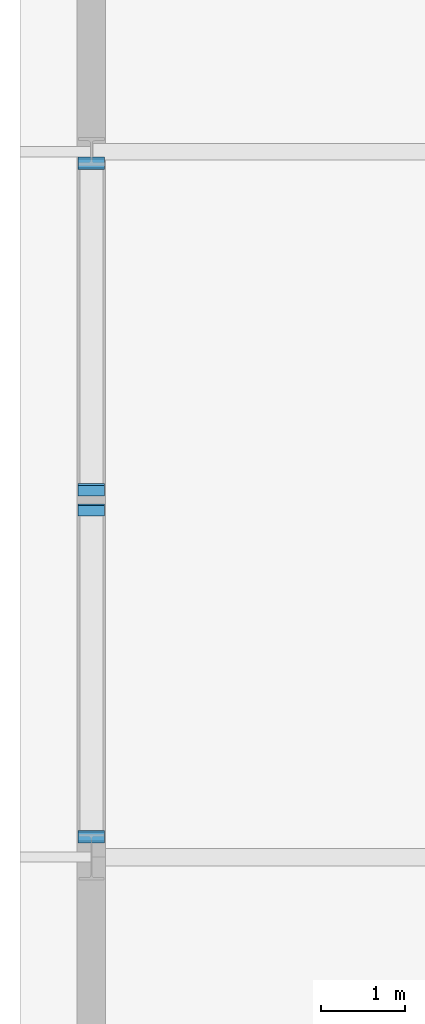
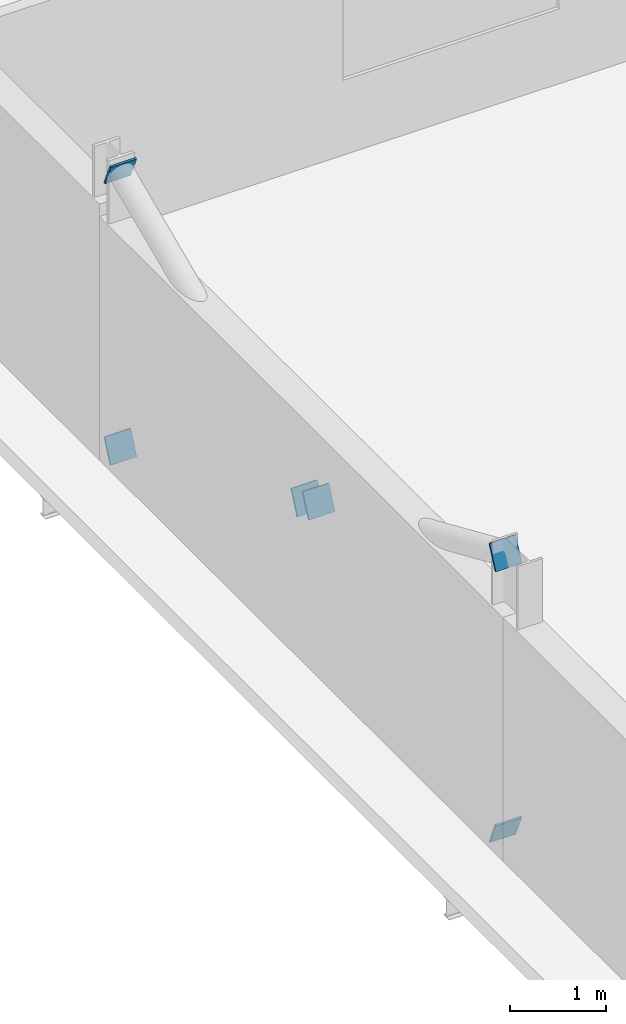
# One storey, part 59 of 78: 6 plates.
"""IFC4 building model written with IfcOpenShell, lengths in metres."""

import ifcopenshell
import ifcopenshell.guid

model = None  # the IFC model being written
_history = None  # IfcOwnerHistory: only IFC2X3 demands one
_inside = {}  # id of a spatial element -> (the spatial element, [elements in it])
_under = {}  # id of a project, library or spatial element -> (it, [spatial elements below it])
_declared = {}  # id of a project -> (the project, [libraries it declares])
_typed = {}  # id of a type object -> (the type object, [elements of that type])
_made_of = {}  # id of a material, layer set ... -> (it, [elements and type objects made of it])


def new_model(schema):
    """Start an empty IFC model of exactly this schema.

    Asked for "IFC4X3", IfcOpenShell would pick the latest addendum, in which some entities
    have other attributes; the version numbers below select the first issue.
    IFC2X3 requires an IfcOwnerHistory on every rooted entity: one is made here for all.
    """
    global model, _history
    if schema == "IFC4X3":
        model = ifcopenshell.file(schema_version=(4, 3, 0, 0))
    else:
        model = ifcopenshell.file(schema=schema)
    _inside.clear()
    _under.clear()
    _declared.clear()
    _typed.clear()
    _made_of.clear()
    _history = None
    if model.schema == "IFC2X3":
        org = make("IfcOrganization", Name="unknown")
        user = make(
            "IfcPersonAndOrganization",
            ThePerson=make("IfcPerson", FamilyName="unknown"),
            TheOrganization=org,
        )
        app = make(
            "IfcApplication",
            ApplicationDeveloper=org,
            Version="unknown",
            ApplicationFullName="unknown",
            ApplicationIdentifier="unknown",
        )
        _history = make(
            "IfcOwnerHistory",
            OwningUser=user,
            OwningApplication=app,
            ChangeAction="ADDED",
            CreationDate=0,
        )
    return model


def make(cls, **values):
    """One entity of the class cls with the attributes given. An attribute that is None is left unset."""
    return model.create_entity(
        cls, **{name: value for name, value in values.items() if value is not None}
    )


def rooted(cls, **values):
    """An entity with a GlobalId (a new one), such as an element, a storey or a relation."""
    return make(cls, GlobalId=ifcopenshell.guid.new(), OwnerHistory=_history, **values)


def si_unit(unit_type, name, prefix=None):
    """IfcSIUnit, for example si_unit("LENGTHUNIT", "METRE", prefix="MILLI")."""
    return make("IfcSIUnit", UnitType=unit_type, Prefix=prefix, Name=name)


def assignment(units):
    """IfcUnitAssignment: the units of a project."""
    return None if units is None else make("IfcUnitAssignment", Units=units)


def point(xyz):
    """IfcCartesianPoint."""
    return None if xyz is None else make("IfcCartesianPoint", Coordinates=xyz)


def direction(xyz):
    """IfcDirection."""
    return None if xyz is None else make("IfcDirection", DirectionRatios=xyz)


def frame(location, z_axis=None, x_axis=None):
    """IfcAxis2Placement3D, a coordinate frame: its origin and axes. An axis left out is left unset."""
    return make(
        "IfcAxis2Placement3D",
        Location=point(location),
        Axis=direction(z_axis),
        RefDirection=direction(x_axis),
    )


def frame_2d(location, x_axis=None):
    """IfcAxis2Placement2D, a coordinate frame in the plane: its origin and x axis."""
    return make(
        "IfcAxis2Placement2D", Location=point(location), RefDirection=direction(x_axis)
    )


def origin():
    """The frame at (0, 0, 0) with its axes left unset."""
    return frame((0.0, 0.0, 0.0))


def origin_2d():
    """The frame at (0, 0) in the plane with its x axis left unset."""
    return frame_2d((0.0, 0.0))


def place(relative_to, where):
    """IfcLocalPlacement: puts the frame where relative to a parent placement (None: the world)."""
    return make(
        "IfcLocalPlacement", PlacementRelTo=relative_to, RelativePlacement=where
    )


def context(
    kind, dimensions, precision=None, world=None, true_north=None, identifier=None
):
    """IfcGeometricRepresentationContext, for example the 3D "Model" context."""
    return make(
        "IfcGeometricRepresentationContext",
        ContextIdentifier=identifier,
        ContextType=kind,
        CoordinateSpaceDimension=dimensions,
        Precision=precision,
        WorldCoordinateSystem=world,
        TrueNorth=true_north,
    )


def subcontext(parent, identifier, kind, view, scale=None):
    """IfcGeometricRepresentationSubContext, for example "Body" below "Model"."""
    return make(
        "IfcGeometricRepresentationSubContext",
        ContextIdentifier=identifier,
        ContextType=kind,
        ParentContext=parent,
        TargetScale=scale,
        TargetView=view,
    )


def project(units=None, contexts=None):
    """IfcProject with its units and contexts."""
    return rooted(
        "IfcProject",
        Name="project",
        RepresentationContexts=contexts,
        UnitsInContext=assignment(units),
    )


def spatial(cls, under=None, at=None, **own):
    """A site, building, storey or space (cls), placed at a placement, below another one or the project."""
    s = rooted(cls, ObjectPlacement=at, **own)
    if under is not None:
        _under.setdefault(under.id(), (under, []))[1].append(s)
    return s


def profile(cls, at=None, kind="AREA", **sizes):
    """A parametric profile (cls). Its sizes go by their IFC names, for example OverallWidth=200.0."""
    return make(cls, ProfileType=kind, Position=at, **sizes)


def rectangle(**sizes):
    """IfcRectangleProfileDef."""
    return profile("IfcRectangleProfileDef", **sizes)


def extrude(swept, where, along, depth):
    """IfcExtrudedAreaSolid: the profile swept, set in the frame where, extruded along a direction by depth."""
    return make(
        "IfcExtrudedAreaSolid",
        SweptArea=swept,
        Position=where,
        ExtrudedDirection=direction(along),
        Depth=depth,
    )


def shape(context_of_items, identifier, shape_type, items):
    """IfcShapeRepresentation: the items that make up one representation, for example the "Body"."""
    return make(
        "IfcShapeRepresentation",
        ContextOfItems=context_of_items,
        RepresentationIdentifier=identifier,
        RepresentationType=shape_type,
        Items=items,
    )


def material(Name=None, Category=None):
    """IfcMaterial."""
    return make("IfcMaterial", Name=Name, Category=Category)


def material_profile(
    of_material, cross_section, Name=None, Category=None, Priority=None
):
    """IfcMaterialProfile: a cross section and its material."""
    return make(
        "IfcMaterialProfile",
        Name=Name,
        Material=of_material,
        Profile=cross_section,
        Priority=Priority,
        Category=Category,
    )


def profile_set(profiles, Name=None, composite=None):
    """IfcMaterialProfileSet."""
    return make(
        "IfcMaterialProfileSet",
        Name=Name,
        MaterialProfiles=profiles,
        CompositeProfile=composite,
    )


def made_of(thing, what):
    """Note that an element or type object is made of a material, layer set ...; save() writes the relation."""
    if what is not None:
        _made_of.setdefault(what.id(), (what, []))[1].append(thing)
    return thing


def type_object(cls, material=None, **own):
    """A type object (cls), such as IfcWallType, which elements share."""
    return made_of(rooted(cls, **own), material)


def element(
    cls,
    number,
    at=None,
    inside=None,
    cuts=None,
    type_object=None,
    material=None,
    context=None,
    identifier="Body",
    shape_type=None,
    held_by="IfcProductDefinitionShape",
    body=None,
    shapes=None,
    **own,
):
    """One element of the class cls, such as IfcWall. Its Tag is "e" and its number.

    at: its placement. inside: the storey or other place that contains it. cuts: it is an
    opening in that element (IfcRelVoidsElement). A single representation is given by context,
    identifier, shape_type and body (its items); several are given by shapes. held_by: the class
    of the entity that holds the representations. save() writes the other relations.
    """
    e = rooted(cls, Tag="e%d" % number, ObjectPlacement=at, **own)
    if body is not None:
        shapes = [shape(context, identifier, shape_type, body)]
    if shapes is not None:
        e.Representation = make(held_by, Representations=shapes)
    if inside is not None:
        _inside.setdefault(inside.id(), (inside, []))[1].append(e)
    if cuts is not None:
        rooted(
            "IfcRelVoidsElement", RelatingBuildingElement=cuts, RelatedOpeningElement=e
        )
    if type_object is not None:
        _typed.setdefault(type_object.id(), (type_object, []))[1].append(e)
    return made_of(e, material)


def aggregate(whole, parts):
    """IfcRelAggregates: a whole, such as a stair, and the parts it consists of."""
    return rooted("IfcRelAggregates", RelatingObject=whole, RelatedObjects=parts)


def save(model, path):
    """Write the relations noted so far, then the file.

    IfcRelAggregates (storeys below a building ...), IfcRelContainedInSpatialStructure (elements
    in a storey), IfcRelDefinesByType, IfcRelAssociatesMaterial and IfcRelDeclares: one each for
    every whole, place, type object, material and project.
    """
    for whole, parts in _under.values():
        aggregate(whole, parts)
    for where, things in _inside.values():
        rooted(
            "IfcRelContainedInSpatialStructure",
            RelatedElements=things,
            RelatingStructure=where,
        )
    for kind, things in _typed.values():
        rooted("IfcRelDefinesByType", RelatedObjects=things, RelatingType=kind)
    for what, things in _made_of.values():
        rooted("IfcRelAssociatesMaterial", RelatedObjects=things, RelatingMaterial=what)
    for by, libraries in _declared.values():
        rooted("IfcRelDeclares", RelatingContext=by, RelatedDefinitions=libraries)
    model.write(path)


model = new_model("IFC4")

# Units and contexts
model_context = context("Model", 3, precision=1e-05, world=origin(), true_north=direction((0.0, 1.0)))
body_context = subcontext(model_context, "Body", "Model", "MODEL_VIEW")
ifc_project = project(units=[si_unit("LENGTHUNIT", "METRE"), si_unit("AREAUNIT", "SQUARE_METRE"), si_unit("VOLUMEUNIT", "CUBIC_METRE"), si_unit("PLANEANGLEUNIT", "RADIAN"), si_unit("MASSUNIT", "GRAM", prefix="KILO")], contexts=[model_context])

# Site, building, storey
site_placement = place(None, origin())
site = spatial("IfcSite", under=ifc_project, at=site_placement, CompositionType="ELEMENT")
building_placement = place(site_placement, origin())
building = spatial("IfcBuilding", under=site, at=building_placement, Name="Vinh Khe Railworks Police Headquarters", CompositionType="ELEMENT")
storey_placement = place(building_placement, frame((0.0, 0.0, 13.199951171875)))
storey = spatial("IfcBuildingStorey", under=building, at=storey_placement, Name="L03", CompositionType="ELEMENT", Elevation=13.199951171875)

# Plates
ifc_material = material(Name="Steel S355JR", Category="steel")
ifc_material_profile = material_profile(ifc_material, rectangle(XDim=0.31298828125, YDim=0.31298828125, at=origin_2d()), Name="PL 313x313")
ifc_profile_set = profile_set([ifc_material_profile], Name="Steel S355JR")
plate_type = type_object("IfcPlateType", Name="Steel End-Cap Plate 313x313x24", PredefinedType="SHEET", material=ifc_profile_set)
for number, where, z_axis, x_axis, name in (
    (1, (0.60009765625, 96.2548828125, 0.199951171875), (0.0, -0.91755562531, -0.397607437634), (1.0, 0.0, 0.0), "End-Cap Gusset Plate PLT-EP-0059"),
    (2, (0.60009765625, 96.2548828125, 3.699951171875), (0.0, -0.91381154862, 0.406138466053), (1.0, 0.0, 0.0), "End-Cap Gusset Plate PLT-EP-0060"),
    (3, (0.60009765625, 100.122314453125, 2.0068359375), (0.0, 0.91755562531, -0.397607437634), (-1.0, 0.0, 0.0), "End-Cap Gusset Plate PLT-EP-0069"),
    (4, (0.60009765625, 100.382568359375, 1.89306640625), (0.0, -0.91381154862, 0.406138466053), (1.0, 0.0, 0.0), "End-Cap Gusset Plate PLT-EP-0080"),
    (5, (0.60009765625, 104.25, 0.199951171875), (0.0, 0.91755562531, -0.397607437634), (-1.0, 0.0, 0.0), "End-Cap Gusset Plate PLT-EP-0091"),
    (6, (0.60009765625, 104.25, 3.699951171875), (0.0, 0.91381154862, 0.406138466053), (-1.0, 0.0, 0.0), "End-Cap Gusset Plate PLT-EP-0092"),
):
    element("IfcPlate", number, at=place(storey_placement, frame(where, z_axis=z_axis, x_axis=x_axis)), inside=storey, type_object=plate_type, Name=name, PredefinedType="SHEET", context=body_context, shape_type="SweptSolid", body=[
        extrude(rectangle(XDim=0.31298828125, YDim=0.31298828125, at=origin_2d()), origin(), (0.0, 0.0, 1.0), 0.02392578125),
    ])

save(model, "model.ifc")
